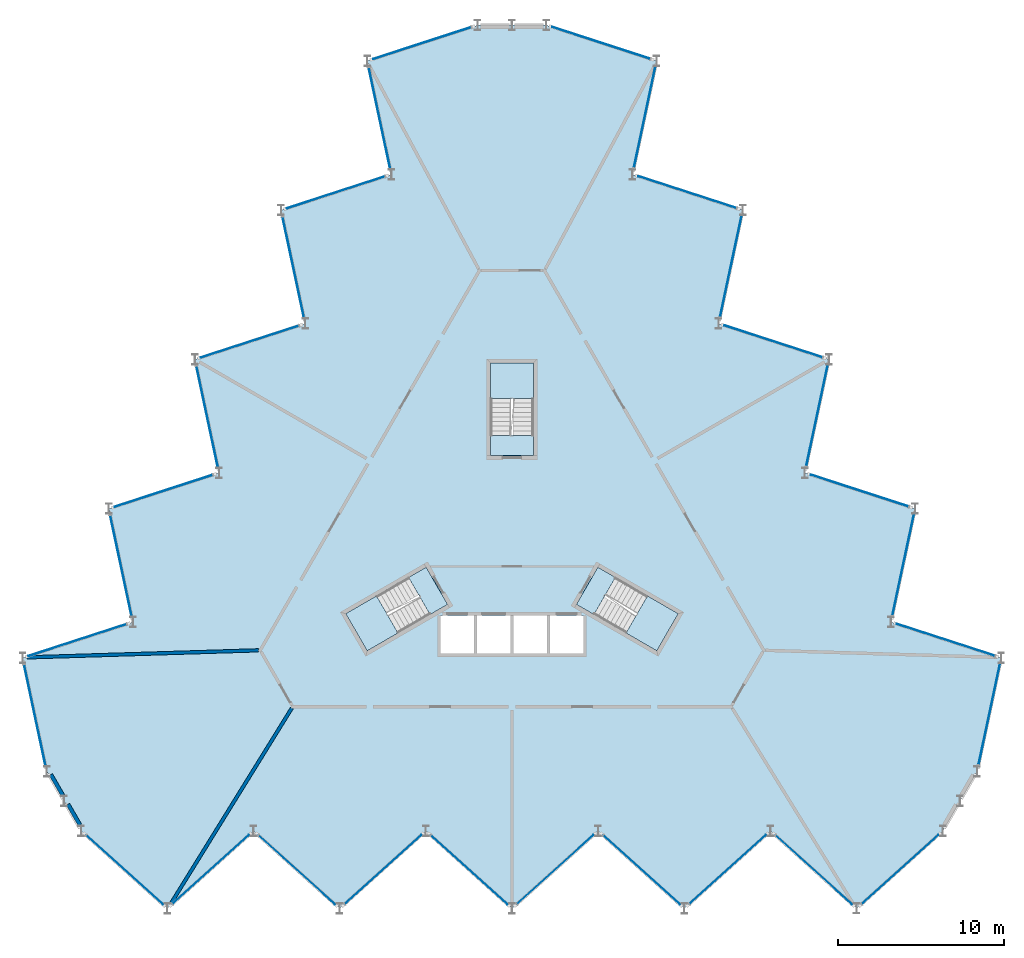
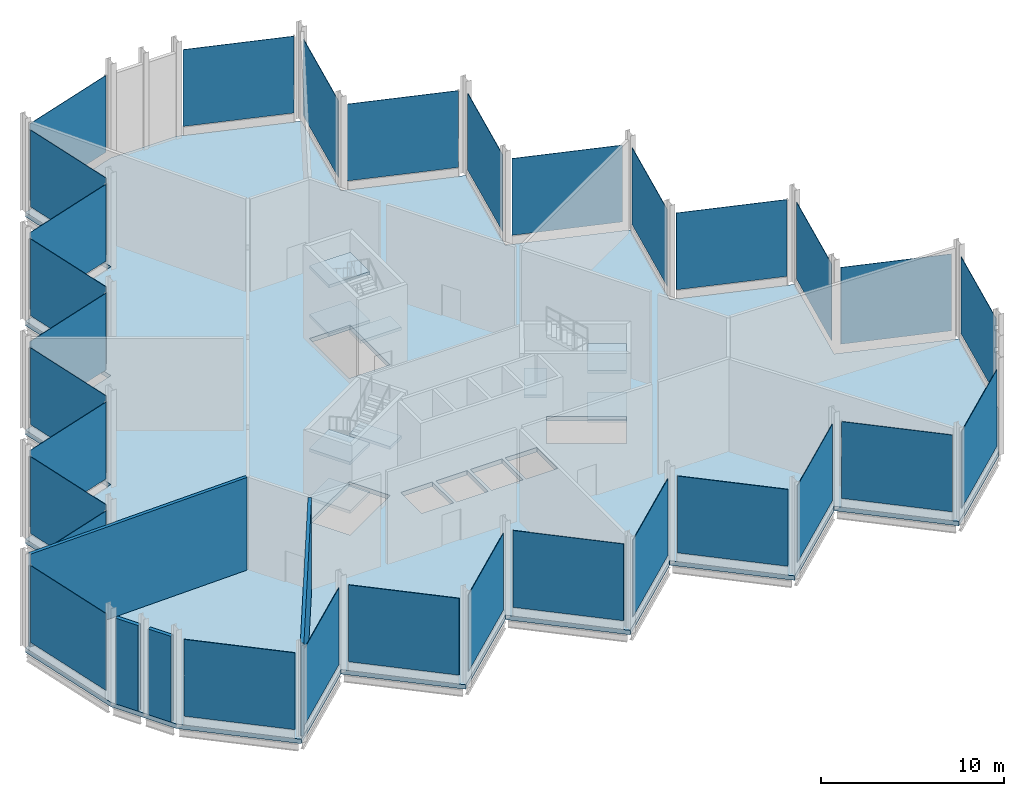
# One storey, part 9 of 12: 30 plates, 10 slabs, 4 walls, 33 elements without a shape of their own.
"""IFC4 building model written with IfcOpenShell, lengths in metres."""

from ifc_helpers import new_model, si_unit, direction, frame, frame_2d, origin, origin_2d, place, context, subcontext, project, spatial, polyline, rectangle, outline, extrude, material, layer, layer_set, type_object, element, aggregate, save


model = new_model("IFC4")

# Units and contexts
model_context = context("Model", 3, precision=1e-05, world=origin(), true_north=direction((0.0, 1.0)))
body_context = subcontext(model_context, "Body", "Model", "MODEL_VIEW")
ifc_project = project(units=[si_unit("LENGTHUNIT", "METRE"), si_unit("AREAUNIT", "SQUARE_METRE"), si_unit("VOLUMEUNIT", "CUBIC_METRE"), si_unit("PLANEANGLEUNIT", "RADIAN"), si_unit("MASSUNIT", "GRAM", prefix="KILO")], contexts=[model_context])

# Site, building, storey
site_placement = place(None, origin())
site = spatial("IfcSite", under=ifc_project, at=site_placement, CompositionType="ELEMENT")
building_placement = place(site_placement, origin())
building = spatial("IfcBuilding", under=site, at=building_placement, Name="Cormorant Prow Tower", CompositionType="ELEMENT")
storey_placement = place(building_placement, frame((0.0, 0.0, 415.199951171875)))
storey = spatial("IfcBuildingStorey", under=building, at=storey_placement, Name="L94", CompositionType="ELEMENT", Elevation=415.199951171875)

# Curtain wall, plate
ifc_material_1 = material(Name="Aluminium 6063-T6", Category="aluminium")
ifc_layer_1 = layer(ifc_material_1, 0.219970703125)
ifc_layer_set_1 = layer_set([ifc_layer_1], Name="Aluminium 6063-T6")
curtain_wall_type = type_object("IfcCurtainWallType", Name="Crown unitised curtain wall 220", PredefinedType="NOTDEFINED", material=ifc_layer_set_1)
curtain_wall_1_placement = place(storey_placement, origin())
curtain_wall_1 = element("IfcCurtainWall", 1, at=curtain_wall_1_placement, inside=storey, type_object=curtain_wall_type, Name="Crown curtain wall crown S00", PredefinedType="NOTDEFINED")
ifc_material_2 = material(Name="Clear glass", Category="glass")
ifc_layer_2 = layer(ifc_material_2, 0.031982421875)
ifc_layer_set_2 = layer_set([ifc_layer_2], Name="Clear glass")
plate_type = type_object("IfcPlateType", Name="Crown glass panel 32", PredefinedType="CURTAIN_PANEL", material=ifc_layer_set_2)
plate_1_placement = place(storey_placement, frame((-23.377685546875, -19.766845703125, 0.60009765625), z_axis=(0.0, 0.0, 1.0), x_axis=(0.743144827638, -0.669130603959, 0.0)))
plate_1 = element("IfcPlate", 2, at=plate_1_placement, type_object=plate_type, Name="Crown glass panel crown S00", PredefinedType="CURTAIN_PANEL", context=body_context, shape_type="SweptSolid", body=[
    extrude(rectangle(XDim=6.205322265625, YDim=0.031982421875, at=origin_2d()), origin(), (0.0, 0.0, 1.0), 5.1337890625),
])
aggregate(curtain_wall_1, [plate_1])

curtain_wall_2_placement = place(storey_placement, origin())
curtain_wall_2 = element("IfcCurtainWall", 3, at=curtain_wall_2_placement, inside=storey, type_object=curtain_wall_type, Name="Crown curtain wall crown S01", PredefinedType="NOTDEFINED")
plate_2_placement = place(storey_placement, frame((-18.177734375, -19.726806640625, 0.60009765625), z_axis=(0.0, 0.0, 1.0), x_axis=(0.743144827638, 0.669130603959, 0.0)))
plate_2 = element("IfcPlate", 4, at=plate_2_placement, type_object=plate_type, Name="Crown glass panel crown S01", PredefinedType="CURTAIN_PANEL", context=body_context, shape_type="SweptSolid", body=[
    extrude(rectangle(XDim=6.205322265625, YDim=0.031982421875, at=origin_2d()), origin(), (0.0, 0.0, 1.0), 5.1337890625),
])
aggregate(curtain_wall_2, [plate_2])

curtain_wall_3_placement = place(storey_placement, origin())
curtain_wall_3 = element("IfcCurtainWall", 5, at=curtain_wall_3_placement, inside=storey, type_object=curtain_wall_type, Name="Crown curtain wall crown S02", PredefinedType="NOTDEFINED")
plate_3_placement = place(storey_placement, frame((-12.977783203125, -19.766845703125, 0.60009765625), z_axis=(0.0, 0.0, 1.0), x_axis=(0.743144827638, -0.669130603959, 0.0)))
plate_3 = element("IfcPlate", 6, at=plate_3_placement, type_object=plate_type, Name="Crown glass panel crown S02", PredefinedType="CURTAIN_PANEL", context=body_context, shape_type="SweptSolid", body=[
    extrude(rectangle(XDim=6.205322265625, YDim=0.031982421875, at=origin_2d()), origin(), (0.0, 0.0, 1.0), 5.1337890625),
])
aggregate(curtain_wall_3, [plate_3])

curtain_wall_4_placement = place(storey_placement, origin())
curtain_wall_4 = element("IfcCurtainWall", 7, at=curtain_wall_4_placement, inside=storey, type_object=curtain_wall_type, Name="Crown curtain wall crown S03", PredefinedType="NOTDEFINED")
plate_4_placement = place(storey_placement, frame((-7.777587890625, -19.726806640625, 0.60009765625), z_axis=(0.0, 0.0, 1.0), x_axis=(0.743144827638, 0.669130603959, 0.0)))
plate_4 = element("IfcPlate", 8, at=plate_4_placement, type_object=plate_type, Name="Crown glass panel crown S03", PredefinedType="CURTAIN_PANEL", context=body_context, shape_type="SweptSolid", body=[
    extrude(rectangle(XDim=6.205322265625, YDim=0.031982421875, at=origin_2d()), origin(), (0.0, 0.0, 1.0), 5.1337890625),
])
aggregate(curtain_wall_4, [plate_4])

curtain_wall_5_placement = place(storey_placement, origin())
curtain_wall_5 = element("IfcCurtainWall", 9, at=curtain_wall_5_placement, inside=storey, type_object=curtain_wall_type, Name="Crown curtain wall crown S04", PredefinedType="NOTDEFINED")
plate_5_placement = place(storey_placement, frame((-2.57763671875, -19.766845703125, 0.60009765625), z_axis=(0.0, 0.0, 1.0), x_axis=(0.743144827638, -0.669130603959, 0.0)))
plate_5 = element("IfcPlate", 10, at=plate_5_placement, type_object=plate_type, Name="Crown glass panel crown S04", PredefinedType="CURTAIN_PANEL", context=body_context, shape_type="SweptSolid", body=[
    extrude(rectangle(XDim=6.205322265625, YDim=0.031982421875, at=origin_2d()), origin(), (0.0, 0.0, 1.0), 5.1337890625),
])
aggregate(curtain_wall_5, [plate_5])

curtain_wall_6_placement = place(storey_placement, origin())
curtain_wall_6 = element("IfcCurtainWall", 11, at=curtain_wall_6_placement, inside=storey, type_object=curtain_wall_type, Name="Crown curtain wall crown S05", PredefinedType="NOTDEFINED")
plate_6_placement = place(storey_placement, frame((2.622314453125, -19.726806640625, 0.60009765625), z_axis=(0.0, 0.0, 1.0), x_axis=(0.743144827638, 0.669130603959, 0.0)))
plate_6 = element("IfcPlate", 12, at=plate_6_placement, type_object=plate_type, Name="Crown glass panel crown S05", PredefinedType="CURTAIN_PANEL", context=body_context, shape_type="SweptSolid", body=[
    extrude(rectangle(XDim=6.205322265625, YDim=0.031982421875, at=origin_2d()), origin(), (0.0, 0.0, 1.0), 5.1337890625),
])
aggregate(curtain_wall_6, [plate_6])

curtain_wall_7_placement = place(storey_placement, origin())
curtain_wall_7 = element("IfcCurtainWall", 13, at=curtain_wall_7_placement, inside=storey, type_object=curtain_wall_type, Name="Crown curtain wall crown S06", PredefinedType="NOTDEFINED")
plate_7_placement = place(storey_placement, frame((7.822265625, -19.766845703125, 0.60009765625), z_axis=(0.0, 0.0, 1.0), x_axis=(0.743144827638, -0.669130603959, 0.0)))
plate_7 = element("IfcPlate", 14, at=plate_7_placement, type_object=plate_type, Name="Crown glass panel crown S06", PredefinedType="CURTAIN_PANEL", context=body_context, shape_type="SweptSolid", body=[
    extrude(rectangle(XDim=6.205322265625, YDim=0.031982421875, at=origin_2d()), origin(), (0.0, 0.0, 1.0), 5.1337890625),
])
aggregate(curtain_wall_7, [plate_7])

curtain_wall_8_placement = place(storey_placement, origin())
curtain_wall_8 = element("IfcCurtainWall", 15, at=curtain_wall_8_placement, inside=storey, type_object=curtain_wall_type, Name="Crown curtain wall crown S07", PredefinedType="NOTDEFINED")
plate_8_placement = place(storey_placement, frame((13.022216796875, -19.726806640625, 0.60009765625), z_axis=(0.0, 0.0, 1.0), x_axis=(0.743144827638, 0.669130603959, 0.0)))
plate_8 = element("IfcPlate", 16, at=plate_8_placement, type_object=plate_type, Name="Crown glass panel crown S07", PredefinedType="CURTAIN_PANEL", context=body_context, shape_type="SweptSolid", body=[
    extrude(rectangle(XDim=6.205322265625, YDim=0.031982421875, at=origin_2d()), origin(), (0.0, 0.0, 1.0), 5.1337890625),
])
aggregate(curtain_wall_8, [plate_8])

curtain_wall_9_placement = place(storey_placement, origin())
curtain_wall_9 = element("IfcCurtainWall", 17, at=curtain_wall_9_placement, inside=storey, type_object=curtain_wall_type, Name="Crown curtain wall crown S08", PredefinedType="NOTDEFINED")
plate_9_placement = place(storey_placement, frame((18.222412109375, -19.766845703125, 0.60009765625), z_axis=(0.0, 0.0, 1.0), x_axis=(0.743144827638, -0.669130603959, 0.0)))
plate_9 = element("IfcPlate", 18, at=plate_9_placement, type_object=plate_type, Name="Crown glass panel crown S08", PredefinedType="CURTAIN_PANEL", context=body_context, shape_type="SweptSolid", body=[
    extrude(rectangle(XDim=6.205322265625, YDim=0.031982421875, at=origin_2d()), origin(), (0.0, 0.0, 1.0), 5.1337890625),
])
aggregate(curtain_wall_9, [plate_9])

curtain_wall_10_placement = place(storey_placement, origin())
curtain_wall_10 = element("IfcCurtainWall", 19, at=curtain_wall_10_placement, inside=storey, type_object=curtain_wall_type, Name="Crown curtain wall crown S09", PredefinedType="NOTDEFINED")
plate_10_placement = place(storey_placement, frame((23.42236328125, -19.726806640625, 0.60009765625), z_axis=(0.0, 0.0, 1.0), x_axis=(0.743144827638, 0.669130603959, 0.0)))
plate_10 = element("IfcPlate", 20, at=plate_10_placement, type_object=plate_type, Name="Crown glass panel crown S09", PredefinedType="CURTAIN_PANEL", context=body_context, shape_type="SweptSolid", body=[
    extrude(rectangle(XDim=6.205322265625, YDim=0.031982421875, at=origin_2d()), origin(), (0.0, 0.0, 1.0), 5.1337890625),
])
aggregate(curtain_wall_10, [plate_10])

curtain_wall_11_placement = place(storey_placement, origin())
curtain_wall_11 = element("IfcCurtainWall", 21, at=curtain_wall_11_placement, inside=storey, type_object=curtain_wall_type, Name="Crown curtain wall crown ENE00", PredefinedType="NOTDEFINED")
plate_11_placement = place(storey_placement, frame((28.807373046875, -10.3623046875, 0.60009765625), z_axis=(0.0, 0.0, 1.0), x_axis=(0.207911620089, 0.978147615768, 0.0)))
plate_11 = element("IfcPlate", 22, at=plate_11_placement, type_object=plate_type, Name="Crown glass panel crown ENE00", PredefinedType="CURTAIN_PANEL", context=body_context, shape_type="SweptSolid", body=[
    extrude(rectangle(XDim=6.205322265625, YDim=0.031982421875, at=origin_2d()), origin(), (0.0, 0.0, 1.0), 5.1337890625),
])
aggregate(curtain_wall_11, [plate_11])

curtain_wall_12_placement = place(storey_placement, origin())
curtain_wall_12 = element("IfcCurtainWall", 23, at=curtain_wall_12_placement, inside=storey, type_object=curtain_wall_type, Name="Crown curtain wall crown ENE01", PredefinedType="NOTDEFINED")
plate_12_placement = place(storey_placement, frame((26.172607421875, -5.87890625, 0.60009765625), z_axis=(0.0, 0.0, 1.0), x_axis=(-0.951056534902, 0.309016937108, 0.0)))
plate_12 = element("IfcPlate", 24, at=plate_12_placement, type_object=plate_type, Name="Crown glass panel crown ENE01", PredefinedType="CURTAIN_PANEL", context=body_context, shape_type="SweptSolid", body=[
    extrude(rectangle(XDim=6.205322265625, YDim=0.031982421875, at=origin_2d()), origin(), (0.0, 0.0, 1.0), 5.1337890625),
])
aggregate(curtain_wall_12, [plate_12])

curtain_wall_13_placement = place(storey_placement, origin())
curtain_wall_13 = element("IfcCurtainWall", 25, at=curtain_wall_13_placement, inside=storey, type_object=curtain_wall_type, Name="Crown curtain wall crown ENE02", PredefinedType="NOTDEFINED")
plate_13_placement = place(storey_placement, frame((23.607421875, -1.355712890625, 0.60009765625), z_axis=(0.0, 0.0, 1.0), x_axis=(0.207911620089, 0.978147615768, 0.0)))
plate_13 = element("IfcPlate", 26, at=plate_13_placement, type_object=plate_type, Name="Crown glass panel crown ENE02", PredefinedType="CURTAIN_PANEL", context=body_context, shape_type="SweptSolid", body=[
    extrude(rectangle(XDim=6.205322265625, YDim=0.031982421875, at=origin_2d()), origin(), (0.0, 0.0, 1.0), 5.1337890625),
])
aggregate(curtain_wall_13, [plate_13])

curtain_wall_14_placement = place(storey_placement, origin())
curtain_wall_14 = element("IfcCurtainWall", 27, at=curtain_wall_14_placement, inside=storey, type_object=curtain_wall_type, Name="Crown curtain wall crown ENE03", PredefinedType="NOTDEFINED")
plate_14_placement = place(storey_placement, frame((20.97265625, 3.127685546875, 0.60009765625), z_axis=(0.0, 0.0, 1.0), x_axis=(-0.951056492904, 0.309017066365, 0.0)))
plate_14 = element("IfcPlate", 28, at=plate_14_placement, type_object=plate_type, Name="Crown glass panel crown ENE03", PredefinedType="CURTAIN_PANEL", context=body_context, shape_type="SweptSolid", body=[
    extrude(rectangle(XDim=6.205322265625, YDim=0.031982421875, at=origin_2d()), origin(), (0.0, 0.0, 1.0), 5.1337890625),
])
aggregate(curtain_wall_14, [plate_14])

curtain_wall_15_placement = place(storey_placement, origin())
curtain_wall_15 = element("IfcCurtainWall", 29, at=curtain_wall_15_placement, inside=storey, type_object=curtain_wall_type, Name="Crown curtain wall crown ENE04", PredefinedType="NOTDEFINED")
plate_15_placement = place(storey_placement, frame((18.407470703125, 7.651123046875, 0.60009765625), z_axis=(0.0, 0.0, 1.0), x_axis=(0.207911649162, 0.978147609588, 0.0)))
plate_15 = element("IfcPlate", 30, at=plate_15_placement, type_object=plate_type, Name="Crown glass panel crown ENE04", PredefinedType="CURTAIN_PANEL", context=body_context, shape_type="SweptSolid", body=[
    extrude(rectangle(XDim=6.205322265625, YDim=0.031982421875, at=origin_2d()), origin(), (0.0, 0.0, 1.0), 5.1337890625),
])
aggregate(curtain_wall_15, [plate_15])

curtain_wall_16_placement = place(storey_placement, origin())
curtain_wall_16 = element("IfcCurtainWall", 31, at=curtain_wall_16_placement, inside=storey, type_object=curtain_wall_type, Name="Crown curtain wall crown ENE05", PredefinedType="NOTDEFINED")
plate_16_placement = place(storey_placement, frame((15.772705078125, 12.13427734375, 0.60009765625), z_axis=(0.0, 0.0, 1.0), x_axis=(-0.951056492904, 0.309017066365, 0.0)))
plate_16 = element("IfcPlate", 32, at=plate_16_placement, type_object=plate_type, Name="Crown glass panel crown ENE05", PredefinedType="CURTAIN_PANEL", context=body_context, shape_type="SweptSolid", body=[
    extrude(rectangle(XDim=6.205322265625, YDim=0.031982421875, at=origin_2d()), origin(), (0.0, 0.0, 1.0), 5.1337890625),
])
aggregate(curtain_wall_16, [plate_16])

curtain_wall_17_placement = place(storey_placement, origin())
curtain_wall_17 = element("IfcCurtainWall", 33, at=curtain_wall_17_placement, inside=storey, type_object=curtain_wall_type, Name="Crown curtain wall crown ENE06", PredefinedType="NOTDEFINED")
plate_17_placement = place(storey_placement, frame((13.20751953125, 16.65771484375, 0.60009765625), z_axis=(0.0, 0.0, 1.0), x_axis=(0.207911620089, 0.978147615768, 0.0)))
plate_17 = element("IfcPlate", 34, at=plate_17_placement, type_object=plate_type, Name="Crown glass panel crown ENE06", PredefinedType="CURTAIN_PANEL", context=body_context, shape_type="SweptSolid", body=[
    extrude(rectangle(XDim=6.205322265625, YDim=0.031982421875, at=origin_2d()), origin(), (0.0, 0.0, 1.0), 5.1337890625),
])
aggregate(curtain_wall_17, [plate_17])

curtain_wall_18_placement = place(storey_placement, origin())
curtain_wall_18 = element("IfcCurtainWall", 35, at=curtain_wall_18_placement, inside=storey, type_object=curtain_wall_type, Name="Crown curtain wall crown ENE07", PredefinedType="NOTDEFINED")
plate_18_placement = place(storey_placement, frame((10.57275390625, 21.140869140625, 0.60009765625), z_axis=(0.0, 0.0, 1.0), x_axis=(-0.951056534902, 0.309016937108, 0.0)))
plate_18 = element("IfcPlate", 36, at=plate_18_placement, type_object=plate_type, Name="Crown glass panel crown ENE07", PredefinedType="CURTAIN_PANEL", context=body_context, shape_type="SweptSolid", body=[
    extrude(rectangle(XDim=6.205322265625, YDim=0.031982421875, at=origin_2d()), origin(), (0.0, 0.0, 1.0), 5.1337890625),
])
aggregate(curtain_wall_18, [plate_18])

curtain_wall_19_placement = place(storey_placement, origin())
curtain_wall_19 = element("IfcCurtainWall", 37, at=curtain_wall_19_placement, inside=storey, type_object=curtain_wall_type, Name="Crown curtain wall crown ENE08", PredefinedType="NOTDEFINED")
plate_19_placement = place(storey_placement, frame((8.007568359375, 25.664306640625, 0.60009765625), z_axis=(0.0, 0.0, 1.0), x_axis=(0.207911620089, 0.978147615768, 0.0)))
plate_19 = element("IfcPlate", 38, at=plate_19_placement, type_object=plate_type, Name="Crown glass panel crown ENE08", PredefinedType="CURTAIN_PANEL", context=body_context, shape_type="SweptSolid", body=[
    extrude(rectangle(XDim=6.205322265625, YDim=0.031982421875, at=origin_2d()), origin(), (0.0, 0.0, 1.0), 5.1337890625),
])
aggregate(curtain_wall_19, [plate_19])

curtain_wall_20_placement = place(storey_placement, origin())
curtain_wall_20 = element("IfcCurtainWall", 39, at=curtain_wall_20_placement, inside=storey, type_object=curtain_wall_type, Name="Crown curtain wall crown ENE09", PredefinedType="NOTDEFINED")
plate_20_placement = place(storey_placement, frame((5.37255859375, 30.147705078125, 0.60009765625), z_axis=(0.0, 0.0, 1.0), x_axis=(-0.951056492904, 0.309017066365, 0.0)))
plate_20 = element("IfcPlate", 40, at=plate_20_placement, type_object=plate_type, Name="Crown glass panel crown ENE09", PredefinedType="CURTAIN_PANEL", context=body_context, shape_type="SweptSolid", body=[
    extrude(rectangle(XDim=6.205322265625, YDim=0.031982421875, at=origin_2d()), origin(), (0.0, 0.0, 1.0), 5.1337890625),
])
aggregate(curtain_wall_20, [plate_20])

curtain_wall_21_placement = place(storey_placement, origin())
curtain_wall_21 = element("IfcCurtainWall", 41, at=curtain_wall_21_placement, inside=storey, type_object=curtain_wall_type, Name="Crown curtain wall crown WNW00", PredefinedType="NOTDEFINED")
plate_21_placement = place(storey_placement, frame((-5.4296875, 30.129150390625, 0.60009765625), z_axis=(0.0, 0.0, 1.0), x_axis=(-0.951056492904, -0.309017066365, 0.0)))
plate_21 = element("IfcPlate", 42, at=plate_21_placement, type_object=plate_type, Name="Crown glass panel crown WNW00", PredefinedType="CURTAIN_PANEL", context=body_context, shape_type="SweptSolid", body=[
    extrude(rectangle(XDim=6.205322265625, YDim=0.031982421875, at=origin_2d()), origin(), (0.0, 0.0, 1.0), 5.1337890625),
])
aggregate(curtain_wall_21, [plate_21])

curtain_wall_22_placement = place(storey_placement, origin())
curtain_wall_22 = element("IfcCurtainWall", 43, at=curtain_wall_22_placement, inside=storey, type_object=curtain_wall_type, Name="Crown curtain wall crown WNW01", PredefinedType="NOTDEFINED")
plate_22_placement = place(storey_placement, frame((-7.994873046875, 25.605712890625, 0.60009765625), z_axis=(0.0, 0.0, 1.0), x_axis=(0.207911620089, -0.978147615768, 0.0)))
plate_22 = element("IfcPlate", 44, at=plate_22_placement, type_object=plate_type, Name="Crown glass panel crown WNW01", PredefinedType="CURTAIN_PANEL", context=body_context, shape_type="SweptSolid", body=[
    extrude(rectangle(XDim=6.205322265625, YDim=0.031982421875, at=origin_2d()), origin(), (0.0, 0.0, 1.0), 5.1337890625),
])
aggregate(curtain_wall_22, [plate_22])

curtain_wall_23_placement = place(storey_placement, origin())
curtain_wall_23 = element("IfcCurtainWall", 45, at=curtain_wall_23_placement, inside=storey, type_object=curtain_wall_type, Name="Crown curtain wall crown WNW02", PredefinedType="NOTDEFINED")
plate_23_placement = place(storey_placement, frame((-10.629638671875, 21.12255859375, 0.60009765625), z_axis=(0.0, 0.0, 1.0), x_axis=(-0.951056534902, -0.309016937108, 0.0)))
plate_23 = element("IfcPlate", 46, at=plate_23_placement, type_object=plate_type, Name="Crown glass panel crown WNW02", PredefinedType="CURTAIN_PANEL", context=body_context, shape_type="SweptSolid", body=[
    extrude(rectangle(XDim=6.205322265625, YDim=0.031982421875, at=origin_2d()), origin(), (0.0, 0.0, 1.0), 5.1337890625),
])
aggregate(curtain_wall_23, [plate_23])

curtain_wall_24_placement = place(storey_placement, origin())
curtain_wall_24 = element("IfcCurtainWall", 47, at=curtain_wall_24_placement, inside=storey, type_object=curtain_wall_type, Name="Crown curtain wall crown WNW03", PredefinedType="NOTDEFINED")
plate_24_placement = place(storey_placement, frame((-13.195068359375, 16.59912109375, 0.60009765625), z_axis=(0.0, 0.0, 1.0), x_axis=(0.207911620089, -0.978147615768, 0.0)))
plate_24 = element("IfcPlate", 48, at=plate_24_placement, type_object=plate_type, Name="Crown glass panel crown WNW03", PredefinedType="CURTAIN_PANEL", context=body_context, shape_type="SweptSolid", body=[
    extrude(rectangle(XDim=6.205322265625, YDim=0.031982421875, at=origin_2d()), origin(), (0.0, 0.0, 1.0), 5.1337890625),
])
aggregate(curtain_wall_24, [plate_24])

curtain_wall_25_placement = place(storey_placement, origin())
curtain_wall_25 = element("IfcCurtainWall", 49, at=curtain_wall_25_placement, inside=storey, type_object=curtain_wall_type, Name="Crown curtain wall crown WNW04", PredefinedType="NOTDEFINED")
plate_25_placement = place(storey_placement, frame((-15.829833984375, 12.11572265625, 0.60009765625), z_axis=(0.0, 0.0, 1.0), x_axis=(-0.951056492904, -0.309017066365, 0.0)))
plate_25 = element("IfcPlate", 50, at=plate_25_placement, type_object=plate_type, Name="Crown glass panel crown WNW04", PredefinedType="CURTAIN_PANEL", context=body_context, shape_type="SweptSolid", body=[
    extrude(rectangle(XDim=6.205322265625, YDim=0.031982421875, at=origin_2d()), origin(), (0.0, 0.0, 1.0), 5.1337890625),
])
aggregate(curtain_wall_25, [plate_25])

curtain_wall_26_placement = place(storey_placement, origin())
curtain_wall_26 = element("IfcCurtainWall", 51, at=curtain_wall_26_placement, inside=storey, type_object=curtain_wall_type, Name="Crown curtain wall crown WNW05", PredefinedType="NOTDEFINED")
plate_26_placement = place(storey_placement, frame((-18.39501953125, 7.59228515625, 0.60009765625), z_axis=(0.0, 0.0, 1.0), x_axis=(0.207911649162, -0.978147609588, 0.0)))
plate_26 = element("IfcPlate", 52, at=plate_26_placement, type_object=plate_type, Name="Crown glass panel crown WNW05", PredefinedType="CURTAIN_PANEL", context=body_context, shape_type="SweptSolid", body=[
    extrude(rectangle(XDim=6.205322265625, YDim=0.031982421875, at=origin_2d()), origin(), (0.0, 0.0, 1.0), 5.1337890625),
])
aggregate(curtain_wall_26, [plate_26])

curtain_wall_27_placement = place(storey_placement, origin())
curtain_wall_27 = element("IfcCurtainWall", 53, at=curtain_wall_27_placement, inside=storey, type_object=curtain_wall_type, Name="Crown curtain wall crown WNW06", PredefinedType="NOTDEFINED")
plate_27_placement = place(storey_placement, frame((-21.02978515625, 3.109130859375, 0.60009765625), z_axis=(0.0, 0.0, 1.0), x_axis=(-0.951056492904, -0.309017066365, 0.0)))
plate_27 = element("IfcPlate", 54, at=plate_27_placement, type_object=plate_type, Name="Crown glass panel crown WNW06", PredefinedType="CURTAIN_PANEL", context=body_context, shape_type="SweptSolid", body=[
    extrude(rectangle(XDim=6.205322265625, YDim=0.031982421875, at=origin_2d()), origin(), (0.0, 0.0, 1.0), 5.1337890625),
])
aggregate(curtain_wall_27, [plate_27])

curtain_wall_28_placement = place(storey_placement, origin())
curtain_wall_28 = element("IfcCurtainWall", 55, at=curtain_wall_28_placement, inside=storey, type_object=curtain_wall_type, Name="Crown curtain wall crown WNW07", PredefinedType="NOTDEFINED")
plate_28_placement = place(storey_placement, frame((-23.594970703125, -1.414306640625, 0.60009765625), z_axis=(0.0, 0.0, 1.0), x_axis=(0.207911620089, -0.978147615768, 0.0)))
plate_28 = element("IfcPlate", 56, at=plate_28_placement, type_object=plate_type, Name="Crown glass panel crown WNW07", PredefinedType="CURTAIN_PANEL", context=body_context, shape_type="SweptSolid", body=[
    extrude(rectangle(XDim=6.205322265625, YDim=0.031982421875, at=origin_2d()), origin(), (0.0, 0.0, 1.0), 5.1337890625),
])
aggregate(curtain_wall_28, [plate_28])

curtain_wall_29_placement = place(storey_placement, origin())
curtain_wall_29 = element("IfcCurtainWall", 57, at=curtain_wall_29_placement, inside=storey, type_object=curtain_wall_type, Name="Crown curtain wall crown WNW08", PredefinedType="NOTDEFINED")
plate_29_placement = place(storey_placement, frame((-26.229736328125, -5.8974609375, 0.60009765625), z_axis=(0.0, 0.0, 1.0), x_axis=(-0.951056534902, -0.309016937108, 0.0)))
plate_29 = element("IfcPlate", 58, at=plate_29_placement, type_object=plate_type, Name="Crown glass panel crown WNW08", PredefinedType="CURTAIN_PANEL", context=body_context, shape_type="SweptSolid", body=[
    extrude(rectangle(XDim=6.205322265625, YDim=0.031982421875, at=origin_2d()), origin(), (0.0, 0.0, 1.0), 5.1337890625),
])
aggregate(curtain_wall_29, [plate_29])

curtain_wall_30_placement = place(storey_placement, origin())
curtain_wall_30 = element("IfcCurtainWall", 59, at=curtain_wall_30_placement, inside=storey, type_object=curtain_wall_type, Name="Crown curtain wall crown WNW09", PredefinedType="NOTDEFINED")
plate_30_placement = place(storey_placement, frame((-28.794921875, -10.4208984375, 0.60009765625), z_axis=(0.0, 0.0, 1.0), x_axis=(0.207911620089, -0.978147615768, 0.0)))
plate_30 = element("IfcPlate", 60, at=plate_30_placement, type_object=plate_type, Name="Crown glass panel crown WNW09", PredefinedType="CURTAIN_PANEL", context=body_context, shape_type="SweptSolid", body=[
    extrude(rectangle(XDim=6.205322265625, YDim=0.031982421875, at=origin_2d()), origin(), (0.0, 0.0, 1.0), 5.1337890625),
])
aggregate(curtain_wall_30, [plate_30])

# Slab
ifc_material_3 = material(Name="Concrete C40/50", Category="concrete")
ifc_layer_3 = layer(ifc_material_3, 0.300048828125)
ifc_layer_set_3 = layer_set([ifc_layer_3], Name="Concrete C40/50")
slab_type_1 = type_object("IfcSlabType", Name="Post-tensioned flat slab 300", PredefinedType="FLOOR", material=ifc_layer_set_3)
slab_1_placement = place(storey_placement, frame((0.0, 0.0, -0.300048828125)))
element("IfcSlab", 61, at=slab_1_placement, inside=storey, type_object=slab_type_1, Name="Floor slab L94", PredefinedType="FLOOR", context=body_context, shape_type="SweptSolid", body=[
    extrude(outline(polyline([(-12.473876953125, 13.206298828125), (-19.128662109375, 11.0439453125), (-17.673828125, 4.199462890625), (-24.32861328125, 2.037353515625), (-22.873779296875, -4.80712890625), (-29.528564453125, -6.969482421875), (-28.07373046875, -13.813720703125), (-27.036865234375, -15.60986328125), (-26.0, -17.40576171875), (-20.800048828125, -22.087890625), (-15.60009765625, -17.40576171875), (-10.39990234375, -22.087890625), (-5.199951171875, -17.40576171875), (0.0, -22.087890625), (5.199951171875, -17.40576171875), (10.39990234375, -22.087890625), (15.60009765625, -17.40576171875), (20.800048828125, -22.087890625), (26.0, -17.40576171875), (27.036865234375, -15.60986328125), (28.07373046875, -13.813720703125), (29.528564453125, -6.969482421875), (22.873779296875, -4.80712890625), (24.32861328125, 2.037353515625), (17.673828125, 4.199462890625), (19.128662109375, 11.0439453125), (12.473876953125, 13.206298828125), (13.9287109375, 20.050537109375), (7.273681640625, 22.212890625), (8.728515625, 29.05712890625), (2.07373046875, 31.219482421875), (0.0, 31.219482421875), (-2.07373046875, 31.219482421875), (-8.728515625, 29.05712890625), (-7.273681640625, 22.212890625), (-13.9287109375, 20.050537109375), (-12.473876953125, 13.206298828125)]), holes=[polyline([(-4.300048828125, -6.699951171875), (-4.300048828125, -4.39990234375), (-2.300048828125, -4.39990234375), (-2.300048828125, -6.699951171875), (-4.300048828125, -6.699951171875)]), polyline([(-2.10009765625, -4.39990234375), (-0.10009765625, -4.39990234375), (-0.10009765625, -6.699951171875), (-2.10009765625, -6.699951171875), (-2.10009765625, -4.39990234375)]), polyline([(2.10009765625, -4.39990234375), (2.10009765625, -6.699951171875), (0.10009765625, -6.699951171875), (0.10009765625, -4.39990234375), (2.10009765625, -4.39990234375)]), polyline([(4.300048828125, -6.699951171875), (2.300048828125, -6.699951171875), (2.300048828125, -4.39990234375), (4.300048828125, -4.39990234375), (4.300048828125, -6.699951171875)]), polyline([(-4.947509765625, -4.3505859375), (-8.738037109375, -6.5390625), (-10.031982421875, -4.2978515625), (-6.241455078125, -2.109375), (-4.947509765625, -4.3505859375)]), polyline([(10.031982421875, -4.2978515625), (8.738037109375, -6.5390625), (4.947509765625, -4.3505859375), (6.241455078125, -2.109375), (10.031982421875, -4.2978515625)]), polyline([(1.2939453125, 10.8369140625), (1.2939453125, 6.459716796875), (-1.2939453125, 6.459716796875), (-1.2939453125, 10.8369140625), (1.2939453125, 10.8369140625)])]), origin(), (0.0, 0.0, 1.0), 0.300048828125),
])

# Stair, slabs
ifc_material_4 = material(Name="Exit stair 36 risers")
stair_type = type_object("IfcStairType", Name="Exit stair 36 risers", PredefinedType="HALF_TURN_STAIR", material=ifc_material_4)
stair_1_placement = place(storey_placement, origin())
stair_1 = element("IfcStair", 62, at=stair_1_placement, inside=storey, type_object=stair_type, Name="L94 Exit stair ST1", PredefinedType="HALF_TURN_STAIR")
ifc_material_5 = material(Name="Concrete 5000 psi", Category="concrete")
ifc_layer_4 = layer(ifc_material_5, 0.199951171875)
ifc_layer_set_4 = layer_set([ifc_layer_4], Name="Concrete 5000 psi")
slab_type_2 = type_object("IfcSlabType", Name="Stair landing 200", PredefinedType="LANDING", material=ifc_layer_set_4)
slab_2_placement = place(storey_placement, frame((0.0, 0.0, 1.425048828125)))
slab_2 = element("IfcSlab", 63, at=slab_2_placement, type_object=slab_type_2, Name="ST1 landing 1", PredefinedType="LANDING", context=body_context, shape_type="SweptSolid", body=[
    extrude(outline(polyline([(-8.17431640625, -3.225341796875), (-10.031982421875, -4.2978515625), (-8.738037109375, -6.5390625), (-6.88037109375, -5.466552734375), (-8.17431640625, -3.225341796875)])), origin(), (0.0, 0.0, 1.0), 0.199951171875),
])
slab_3_placement = place(storey_placement, frame((0.0, 0.0, 3.050048828125)))
slab_3 = element("IfcSlab", 64, at=slab_3_placement, type_object=slab_type_2, Name="ST1 landing 2", PredefinedType="LANDING", context=body_context, shape_type="SweptSolid", body=[
    extrude(outline(polyline([(-5.18212890625, -1.497802734375), (-6.241455078125, -2.109375), (-4.947265625, -4.3505859375), (-3.88818359375, -3.739013671875), (-5.18212890625, -1.497802734375)])), origin(), (0.0, 0.0, 1.0), 0.199951171875),
])
slab_4_placement = place(storey_placement, frame((0.0, 0.0, 4.675048828125)))
slab_4 = element("IfcSlab", 65, at=slab_4_placement, type_object=slab_type_2, Name="ST1 landing 3", PredefinedType="LANDING", context=body_context, shape_type="SweptSolid", body=[
    extrude(outline(polyline([(-8.17431640625, -3.225341796875), (-10.031982421875, -4.2978515625), (-8.738037109375, -6.5390625), (-6.88037109375, -5.466552734375), (-8.17431640625, -3.225341796875)])), origin(), (0.0, 0.0, 1.0), 0.199951171875),
])
aggregate(stair_1, [slab_2, slab_3, slab_4])

stair_2_placement = place(storey_placement, origin())
stair_2 = element("IfcStair", 66, at=stair_2_placement, inside=storey, type_object=stair_type, Name="L94 Exit stair ST2", PredefinedType="HALF_TURN_STAIR")
slab_5_placement = place(storey_placement, frame((0.0, 0.0, 1.425048828125)))
slab_5 = element("IfcSlab", 67, at=slab_5_placement, type_object=slab_type_2, Name="ST2 landing 1", PredefinedType="LANDING", context=body_context, shape_type="SweptSolid", body=[
    extrude(outline(polyline([(6.88037109375, -5.466552734375), (8.738037109375, -6.5390625), (10.031982421875, -4.2978515625), (8.17431640625, -3.225341796875), (6.88037109375, -5.466552734375)])), origin(), (0.0, 0.0, 1.0), 0.199951171875),
])
slab_6_placement = place(storey_placement, frame((0.0, 0.0, 3.050048828125)))
slab_6 = element("IfcSlab", 68, at=slab_6_placement, type_object=slab_type_2, Name="ST2 landing 2", PredefinedType="LANDING", context=body_context, shape_type="SweptSolid", body=[
    extrude(outline(polyline([(3.88818359375, -3.739013671875), (4.947265625, -4.3505859375), (6.241455078125, -2.109375), (5.18212890625, -1.497802734375), (3.88818359375, -3.739013671875)])), origin(), (0.0, 0.0, 1.0), 0.199951171875),
])
slab_7_placement = place(storey_placement, frame((0.0, 0.0, 4.675048828125)))
slab_7 = element("IfcSlab", 69, at=slab_7_placement, type_object=slab_type_2, Name="ST2 landing 3", PredefinedType="LANDING", context=body_context, shape_type="SweptSolid", body=[
    extrude(outline(polyline([(6.88037109375, -5.466552734375), (8.738037109375, -6.5390625), (10.031982421875, -4.2978515625), (8.17431640625, -3.225341796875), (6.88037109375, -5.466552734375)])), origin(), (0.0, 0.0, 1.0), 0.199951171875),
])
aggregate(stair_2, [slab_5, slab_6, slab_7])

stair_3_placement = place(storey_placement, origin())
stair_3 = element("IfcStair", 70, at=stair_3_placement, inside=storey, type_object=stair_type, Name="L94 Exit stair ST3", PredefinedType="HALF_TURN_STAIR")
slab_8_placement = place(storey_placement, frame((0.0, 0.0, 1.425048828125)))
slab_8 = element("IfcSlab", 71, at=slab_8_placement, type_object=slab_type_2, Name="ST3 landing 1", PredefinedType="LANDING", context=body_context, shape_type="SweptSolid", body=[
    extrude(outline(polyline([(1.2939453125, 8.69189453125), (1.2939453125, 10.8369140625), (-1.2939453125, 10.8369140625), (-1.2939453125, 8.69189453125), (1.2939453125, 8.69189453125)])), origin(), (0.0, 0.0, 1.0), 0.199951171875),
])
slab_9_placement = place(storey_placement, frame((0.0, 0.0, 3.050048828125)))
slab_9 = element("IfcSlab", 72, at=slab_9_placement, type_object=slab_type_2, Name="ST3 landing 2", PredefinedType="LANDING", context=body_context, shape_type="SweptSolid", body=[
    extrude(outline(polyline([(1.2939453125, 5.23681640625), (1.2939453125, 6.459716796875), (-1.2939453125, 6.459716796875), (-1.2939453125, 5.23681640625), (1.2939453125, 5.23681640625)])), origin(), (0.0, 0.0, 1.0), 0.199951171875),
])
slab_10_placement = place(storey_placement, frame((0.0, 0.0, 4.675048828125)))
slab_10 = element("IfcSlab", 73, at=slab_10_placement, type_object=slab_type_2, Name="ST3 landing 3", PredefinedType="LANDING", context=body_context, shape_type="SweptSolid", body=[
    extrude(outline(polyline([(1.2939453125, 8.69189453125), (1.2939453125, 10.8369140625), (-1.2939453125, 10.8369140625), (-1.2939453125, 8.69189453125), (1.2939453125, 8.69189453125)])), origin(), (0.0, 0.0, 1.0), 0.199951171875),
])
aggregate(stair_3, [slab_8, slab_9, slab_10])

# Walls
ifc_material_6 = material(Name="Gypsum board demising wall")
ifc_layer_5 = layer(ifc_material_6, 0.199951171875)
ifc_layer_set_5 = layer_set([ifc_layer_5], Name="Gypsum board demising wall")
wall_type_1 = type_object("IfcWallType", Name="Demising wall 200", PredefinedType="PARTITIONING", material=ifc_layer_set_5)
wall_1_placement = place(storey_placement, frame((-29.260498046875, -6.934814453125, 0.0), z_axis=(0.0, 0.0, 1.0), x_axis=(0.999534583604, 0.030506002359, 0.0)))
element("IfcWall", 74, at=wall_1_placement, inside=storey, type_object=wall_type_1, Name="Demising wall", PredefinedType="PARTITIONING", context=body_context, shape_type="SweptSolid", body=[
    extrude(rectangle(XDim=13.973388671875, YDim=0.199951171875, at=frame_2d((6.98681640625, 0.0))), origin(), (0.0, 0.0, 1.0), 6.199951171875),
])
wall_2_placement = place(storey_placement, frame((-20.608154296875, -21.827880859375, 0.0), z_axis=(0.0, 0.0, 1.0), x_axis=(0.526187960676, 0.850368290825, 0.0)))
element("IfcWall", 75, at=wall_2_placement, inside=storey, type_object=wall_type_1, Name="Demising wall", PredefinedType="PARTITIONING", context=body_context, shape_type="SweptSolid", body=[
    extrude(rectangle(XDim=13.92041015625, YDim=0.199951171875, at=frame_2d((6.960205078125, 0.0))), origin(), (0.0, 0.0, 1.0), 6.199951171875),
])
ifc_material_7 = material(Name="Terracotta", Category="masonry")
ifc_layer_6 = layer(ifc_material_7, 0.22998046875)
ifc_layer_set_6 = layer_set([ifc_layer_6], Name="Terracotta")
wall_type_2 = type_object("IfcWallType", Name="Terracotta crown cladding wall 230", PredefinedType="SOLIDWALL", material=ifc_layer_set_6)
for number, where, z_axis, x_axis, name in (
    (76, (-27.830810546875, -14.004638671875, 0.0), (0.0, 0.0, 1.0), (0.500001025616, -0.866024811644, 0.0), "Terracotta crown wall WSW00"),
    (77, (-26.7939453125, -15.800537109375, 0.0), (0.0, 0.0, 1.0), (0.500001025616, -0.866024811644, 0.0), "Terracotta crown wall WSW01"),
):
    element("IfcWall", number, at=place(storey_placement, frame(where, z_axis=z_axis, x_axis=x_axis)), inside=storey, type_object=wall_type_2, Name=name, PredefinedType="SOLIDWALL", context=body_context, shape_type="SweptSolid", body=[
        extrude(rectangle(XDim=1.44140625, YDim=0.22998046875, at=frame_2d((0.720703125, 0.0))), origin(), (0.0, 0.0, 1.0), 5.73388671875),
    ])

save(model, "model.ifc")
